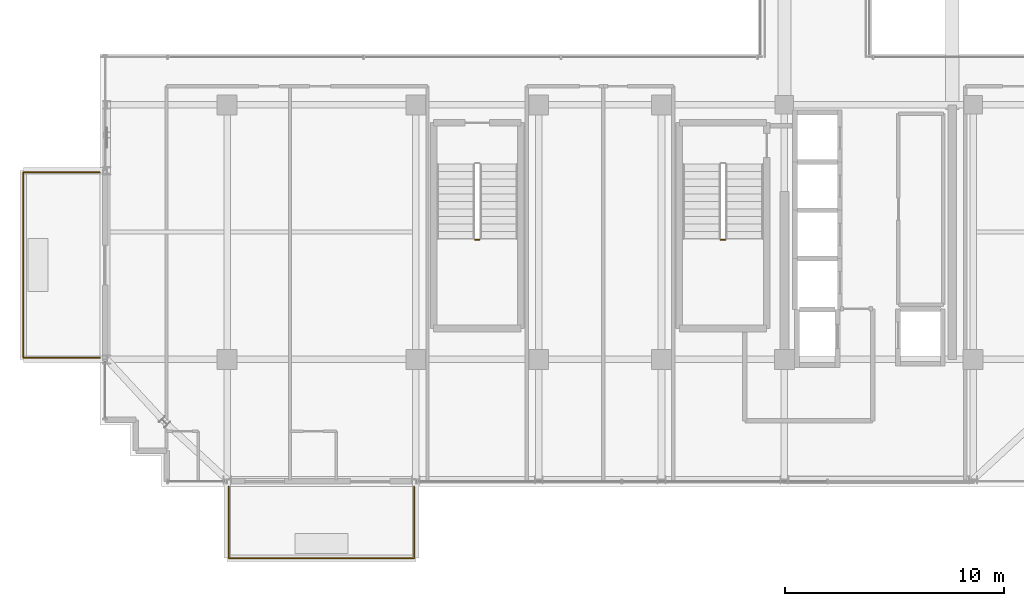
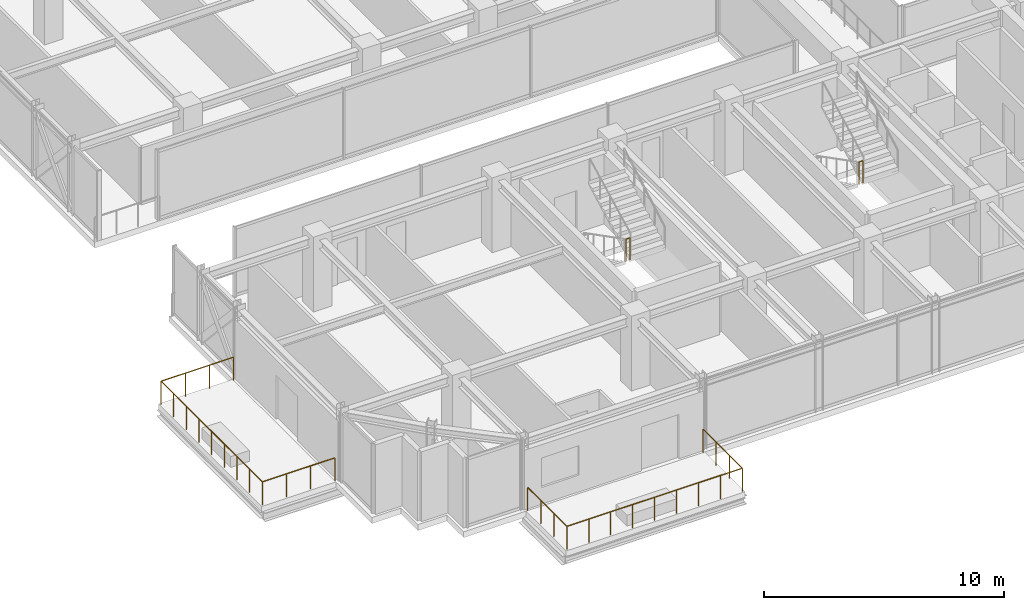
# One storey, part 34 of 37: 4 railings.
"""IFC4 building model written with IfcOpenShell, lengths in metres."""

from ifc_helpers import new_model, si_unit, direction, frame, origin, origin_2d, place, context, subcontext, project, spatial, circle, extrude, material, type_object, element, save


model = new_model("IFC4")

# Units and contexts
model_context = context("Model", 3, precision=1e-05, world=origin(), true_north=direction((0.0, 1.0)))
body_context = subcontext(model_context, "Body", "Model", "MODEL_VIEW")
ifc_project = project(units=[si_unit("LENGTHUNIT", "METRE"), si_unit("AREAUNIT", "SQUARE_METRE"), si_unit("VOLUMEUNIT", "CUBIC_METRE"), si_unit("PLANEANGLEUNIT", "RADIAN"), si_unit("MASSUNIT", "GRAM", prefix="KILO")], contexts=[model_context])

# Site, building, storey
site_placement = place(None, origin())
site = spatial("IfcSite", under=ifc_project, at=site_placement, CompositionType="ELEMENT")
building_placement = place(site_placement, origin())
building = spatial("IfcBuilding", under=site, at=building_placement, Name="Nahalor Promenade Grand Hotel", CompositionType="ELEMENT")
storey_placement = place(building_placement, frame((0.0, 0.0, 308.050048828125)))
storey = spatial("IfcBuildingStorey", under=building, at=storey_placement, Name="L79", CompositionType="ELEMENT", Elevation=308.050048828125)

# Railings
ifc_material_1 = material(Name="Anodised Bronze Aluminium EN AW-6063 T6", Category="aluminium")
railing_type_1 = type_object("IfcRailingType", Name="Bronze Balcony Guardrail 1200 mm", PredefinedType="GUARDRAIL", material=ifc_material_1)
railing_1_placement = place(storey_placement, frame((-16.919921875, -22.800048828125, 0.0)))
element("IfcRailing", 1, at=railing_1_placement, inside=storey, type_object=railing_type_1, Name="L79 Balcony Guardrail 1", PredefinedType="GUARDRAIL", context=body_context, shape_type="SweptSolid", body=[
    extrude(circle(Radius=0.024048, at=origin_2d()), frame((0.0, 0.0, 1.17578125), z_axis=(0.0, -1.0, 0.0), x_axis=(1.0, 0.0, 0.0)), (0.0, 0.0, 1.0), 3.258056640625),
    extrude(circle(Radius=0.024048, at=origin_2d()), frame((0.001953125, -3.260009765625, 1.17578125), z_axis=(1.0, 0.0, 0.0), x_axis=(0.0, 1.0, 0.0)), (0.0, 0.0, 1.0), 8.43603515625),
    extrude(circle(Radius=0.024048, at=origin_2d()), frame((8.43994140625, -3.258056640625, 1.17578125), z_axis=(0.0, 1.0, 0.0), x_axis=(-1.0, 0.0, 0.0)), (0.0, 0.0, 1.0), 3.258056640625),
    extrude(circle(Radius=0.020996, at=origin_2d()), origin(), (0.0, 0.0, 1.0), 1.14990234375),
    extrude(circle(Radius=0.020996, at=origin_2d()), frame((0.0, -1.086669921875, 0.0)), (0.0, 0.0, 1.0), 1.14990234375),
    extrude(circle(Radius=0.020996, at=origin_2d()), frame((0.0, -2.17333984375, 0.0)), (0.0, 0.0, 1.0), 1.14990234375),
    extrude(circle(Radius=0.020996, at=origin_2d()), frame((0.0, -3.260009765625, 0.0)), (0.0, 0.0, 1.0), 1.14990234375),
    extrude(circle(Radius=0.020996, at=origin_2d()), frame((1.054931640625, -3.260009765625, 0.0)), (0.0, 0.0, 1.0), 1.14990234375),
    extrude(circle(Radius=0.020996, at=origin_2d()), frame((2.10986328125, -3.260009765625, 0.0)), (0.0, 0.0, 1.0), 1.14990234375),
    extrude(circle(Radius=0.020996, at=origin_2d()), frame((3.1650390625, -3.260009765625, 0.0)), (0.0, 0.0, 1.0), 1.14990234375),
    extrude(circle(Radius=0.020996, at=origin_2d()), frame((4.219970703125, -3.260009765625, 0.0)), (0.0, 0.0, 1.0), 1.14990234375),
    extrude(circle(Radius=0.020996, at=origin_2d()), frame((5.27490234375, -3.260009765625, 0.0)), (0.0, 0.0, 1.0), 1.14990234375),
    extrude(circle(Radius=0.020996, at=origin_2d()), frame((6.330078125, -3.260009765625, 0.0)), (0.0, 0.0, 1.0), 1.14990234375),
    extrude(circle(Radius=0.020996, at=origin_2d()), frame((7.385009765625, -3.260009765625, 0.0)), (0.0, 0.0, 1.0), 1.14990234375),
    extrude(circle(Radius=0.020996, at=origin_2d()), frame((8.43994140625, -3.260009765625, 0.0)), (0.0, 0.0, 1.0), 1.14990234375),
    extrude(circle(Radius=0.020996, at=origin_2d()), frame((8.43994140625, -2.17333984375, 0.0)), (0.0, 0.0, 1.0), 1.14990234375),
    extrude(circle(Radius=0.020996, at=origin_2d()), frame((8.43994140625, -1.086669921875, 0.0)), (0.0, 0.0, 1.0), 1.14990234375),
    extrude(circle(Radius=0.020996, at=origin_2d()), frame((8.43994140625, 0.0, 0.0)), (0.0, 0.0, 1.0), 1.14990234375),
])
railing_2_placement = place(storey_placement, frame((-22.800048828125, -16.919921875, 0.0)))
element("IfcRailing", 2, at=railing_2_placement, inside=storey, type_object=railing_type_1, Name="L79 Balcony Guardrail 2", PredefinedType="GUARDRAIL", context=body_context, shape_type="SweptSolid", body=[
    extrude(circle(Radius=0.024048, at=origin_2d()), frame((0.0, 0.0, 1.17578125), z_axis=(-1.0, 0.0, 0.0), x_axis=(0.0, -1.0, 0.0)), (0.0, 0.0, 1.0), 3.488037109375),
    extrude(circle(Radius=0.024048, at=origin_2d()), frame((-3.489990234375, 0.001953125, 1.17578125), z_axis=(0.0, 1.0, 0.0), x_axis=(-1.0, 0.0, 0.0)), (0.0, 0.0, 1.0), 8.43603515625),
    extrude(circle(Radius=0.024048, at=origin_2d()), frame((-3.488037109375, 8.43994140625, 1.17578125), z_axis=(1.0, 0.0, 0.0), x_axis=(0.0, 1.0, 0.0)), (0.0, 0.0, 1.0), 3.488037109375),
    extrude(circle(Radius=0.020996, at=origin_2d()), origin(), (0.0, 0.0, 1.0), 1.14990234375),
    extrude(circle(Radius=0.020996, at=origin_2d()), frame((-1.163330078125, 0.0, 0.0)), (0.0, 0.0, 1.0), 1.14990234375),
    extrude(circle(Radius=0.020996, at=origin_2d()), frame((-2.32666015625, 0.0, 0.0)), (0.0, 0.0, 1.0), 1.14990234375),
    extrude(circle(Radius=0.020996, at=origin_2d()), frame((-3.489990234375, 0.0, 0.0)), (0.0, 0.0, 1.0), 1.14990234375),
    extrude(circle(Radius=0.020996, at=origin_2d()), frame((-3.489990234375, 1.054931640625, 0.0)), (0.0, 0.0, 1.0), 1.14990234375),
    extrude(circle(Radius=0.020996, at=origin_2d()), frame((-3.489990234375, 2.10986328125, 0.0)), (0.0, 0.0, 1.0), 1.14990234375),
    extrude(circle(Radius=0.020996, at=origin_2d()), frame((-3.489990234375, 3.1650390625, 0.0)), (0.0, 0.0, 1.0), 1.14990234375),
    extrude(circle(Radius=0.020996, at=origin_2d()), frame((-3.489990234375, 4.219970703125, 0.0)), (0.0, 0.0, 1.0), 1.14990234375),
    extrude(circle(Radius=0.020996, at=origin_2d()), frame((-3.489990234375, 5.27490234375, 0.0)), (0.0, 0.0, 1.0), 1.14990234375),
    extrude(circle(Radius=0.020996, at=origin_2d()), frame((-3.489990234375, 6.330078125, 0.0)), (0.0, 0.0, 1.0), 1.14990234375),
    extrude(circle(Radius=0.020996, at=origin_2d()), frame((-3.489990234375, 7.385009765625, 0.0)), (0.0, 0.0, 1.0), 1.14990234375),
    extrude(circle(Radius=0.020996, at=origin_2d()), frame((-3.489990234375, 8.43994140625, 0.0)), (0.0, 0.0, 1.0), 1.14990234375),
    extrude(circle(Radius=0.020996, at=origin_2d()), frame((-2.32666015625, 8.43994140625, 0.0)), (0.0, 0.0, 1.0), 1.14990234375),
    extrude(circle(Radius=0.020996, at=origin_2d()), frame((-1.163330078125, 8.43994140625, 0.0)), (0.0, 0.0, 1.0), 1.14990234375),
    extrude(circle(Radius=0.020996, at=origin_2d()), frame((0.0, 8.43994140625, 0.0)), (0.0, 0.0, 1.0), 1.14990234375),
])
ifc_material_2 = material(Name="Steel S355JR", Category="steel")
railing_type_2 = type_object("IfcRailingType", Name="Steel Stair Guardrail 1150 mm", PredefinedType="GUARDRAIL", material=ifc_material_2)
for number, where, name in (
    (3, (5.5, -11.550048828125, 1.925048828125), "L79 ST2 stair guard 2"),
    (4, (-5.699951171875, -11.550048828125, 1.925048828125), "L79 ST3 stair guard 2"),
):
    element("IfcRailing", number, at=place(storey_placement, frame(where)), inside=storey, type_object=railing_type_2, Name=name, PredefinedType="GUARDRAIL", context=body_context, shape_type="SweptSolid", body=[
        extrude(circle(Radius=0.024048, at=origin_2d()), frame((0.0, 0.0, 1.1259765625), z_axis=(1.0, 0.0, 0.0), x_axis=(0.0, 1.0, 0.0)), (0.0, 0.0, 1.0), 0.199951171875),
        extrude(circle(Radius=0.020996, at=origin_2d()), origin(), (0.0, 0.0, 1.0), 1.099853515625),
        extrude(circle(Radius=0.020996, at=origin_2d()), frame((0.199951171875, 0.0, 0.0)), (0.0, 0.0, 1.0), 1.099853515625),
    ])

save(model, "model.ifc")
